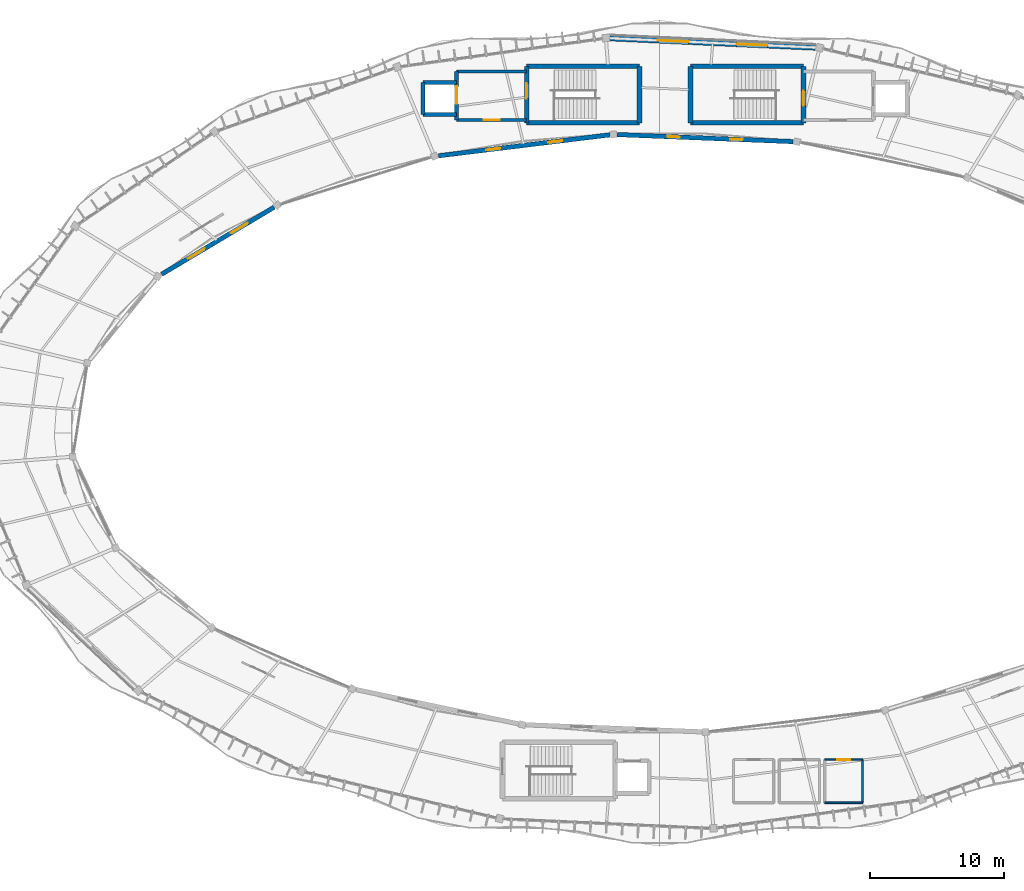
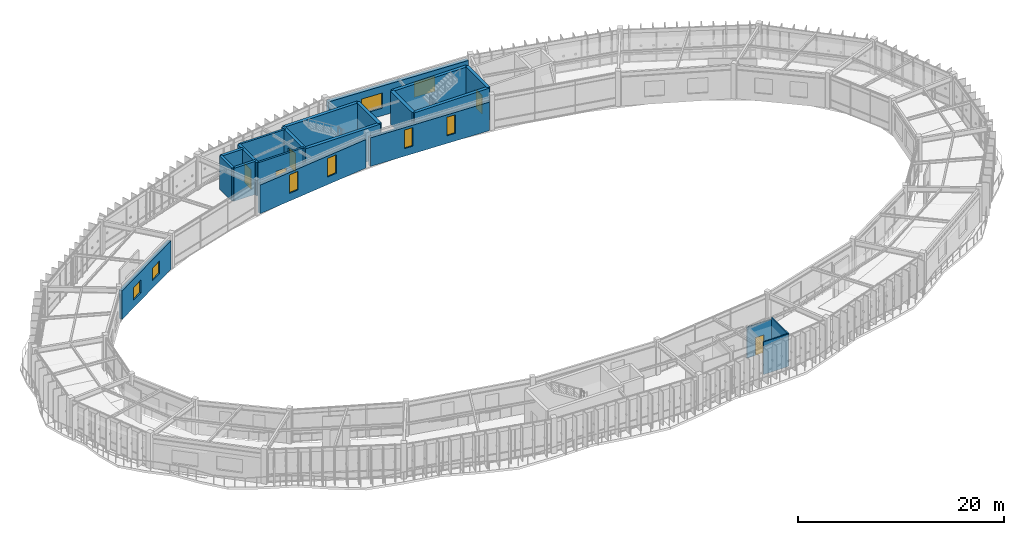
# One storey, part 68 of 79: 21 walls, 8 windows, 5 doors, 13 openings.
"""IFC4 building model written with IfcOpenShell, lengths in metres."""

from ifc_helpers import new_model, si_unit, direction, frame, frame_2d, origin, place, context, subcontext, project, spatial, rectangle, extrude, material, layer, layer_set, type_object, element, fill, save


model = new_model("IFC4")

# Units and contexts
model_context = context("Model", 3, precision=1e-05, world=origin(), true_north=direction((0.0, 1.0)))
body_context = subcontext(model_context, "Body", "Model", "MODEL_VIEW")
ifc_project = project(units=[si_unit("LENGTHUNIT", "METRE"), si_unit("AREAUNIT", "SQUARE_METRE"), si_unit("VOLUMEUNIT", "CUBIC_METRE"), si_unit("PLANEANGLEUNIT", "RADIAN"), si_unit("MASSUNIT", "GRAM", prefix="KILO"), si_unit("THERMODYNAMICTEMPERATUREUNIT", "KELVIN"), si_unit("POWERUNIT", "WATT")], contexts=[model_context])

# Site, building, storey
site_placement = place(None, origin())
site = spatial("IfcSite", under=ifc_project, at=site_placement, CompositionType="ELEMENT")
building_placement = place(site_placement, origin())
building = spatial("IfcBuilding", under=site, at=building_placement, Name="Darbajah Civic Hall", CompositionType="ELEMENT")
storey_placement = place(building_placement, frame((0.0, 0.0, 22.199951171875)))
storey = spatial("IfcBuildingStorey", under=building, at=storey_placement, Name="L05", CompositionType="ELEMENT", Elevation=22.199951171875)

# Wall, opening, door
ifc_material_1 = material(Name="Concrete C45/55", Category="concrete")
ifc_layer_1 = layer(ifc_material_1, 0.300048828125, Name="Concrete C45/55")
ifc_layer_set_1 = layer_set([ifc_layer_1], Name="Concrete C45/55")
wall_type_1 = type_object("IfcWallType", Name="Core Shear Wall 300mm", PredefinedType="SHEAR", material=ifc_layer_set_1)
wall_1_placement = place(storey_placement, frame((74.0, 116.699951171875, 0.0), z_axis=(0.0, 0.0, 1.0), x_axis=(0.0, -1.0, 0.0)))
wall_1 = element("IfcWall", 1, at=wall_1_placement, inside=storey, type_object=wall_type_1, Name="L05 firefighting lobby C01 wall W", PredefinedType="SHEAR", context=body_context, shape_type="SweptSolid", body=[
    extrude(rectangle(XDim=3.599853515625, YDim=0.300048828125, at=frame_2d((1.7998046875, 0.0))), origin(), (0.0, 0.0, 1.0), 3.920166015625),
])
opening_1_placement = place(wall_1_placement, frame((1.10009765625, 0.0, 0.0)))
opening_1 = element("IfcOpeningElement", 2, at=opening_1_placement, cuts=wall_1, Name="Opening LD-0020", PredefinedType="OPENING", context=body_context, shape_type="SweptSolid", body=[
    extrude(rectangle(XDim=1.300048828125, YDim=2.300048828125, at=frame_2d((0.64990234375, 1.14990234375))), frame((0.0, 0.159912109375, 0.0), z_axis=(0.0, -1.0, 0.0), x_axis=(1.0, 0.0, 0.0)), (0.0, 0.0, 1.0), 0.320068359375),
])
ifc_material_2 = material(Name="Firefighting Lift Landing Door")
door_type_1 = type_object("IfcDoorType", Name="Lift Landing Door 1300x2300", OperationType="SLIDING_TO_LEFT", PredefinedType="DOOR", material=ifc_material_2)
door_1_placement = place(opening_1_placement, origin())
door_1 = element("IfcDoor", 3, at=door_1_placement, inside=storey, type_object=door_type_1, Name="L05 firefighting lift FL1 landing door LD-0020", OperationType="SLIDING_TO_LEFT", OverallHeight=2.300048828125, OverallWidth=1.300048828125, PredefinedType="DOOR", context=body_context, shape_type="SweptSolid", body=[
    extrude(rectangle(XDim=1.300048828125, YDim=2.300048828125, at=frame_2d((0.64990234375, 1.14990234375))), frame((0.0, 0.02490234375, 0.0), z_axis=(0.0, -1.0, 0.0), x_axis=(1.0, 0.0, 0.0)), (0.0, 0.0, 1.0), 0.050048828125),
])
fill(opening_1, door_1)

# Walls
for number, where, z_axis, x_axis, name in (
    (4, (74.0, 115.89990234375, 0.0), (0.0, 0.0, 1.0), (-1.0, 0.0, 0.0), "L05 lift FL1 shaft wall N"),
    (5, (71.5, 113.5, 0.0), (0.0, 0.0, 1.0), (1.0, 0.0, 0.0), "L05 lift FL1 shaft wall S"),
):
    element("IfcWall", number, at=place(storey_placement, frame(where, z_axis=z_axis, x_axis=x_axis)), inside=storey, type_object=wall_type_1, Name=name, PredefinedType="SHEAR", context=body_context, shape_type="SweptSolid", body=[
        extrude(rectangle(XDim=2.5, YDim=0.300048828125, at=frame_2d((1.25, 0.0))), origin(), (0.0, 0.0, 1.0), 3.920166015625),
    ])
wall_2_placement = place(storey_placement, frame((71.5, 115.89990234375, 0.0), z_axis=(0.0, 0.0, 1.0), x_axis=(0.0, -1.0, 0.0)))
element("IfcWall", 6, at=wall_2_placement, inside=storey, type_object=wall_type_1, Name="L05 lift FL1 shaft wall OUT", PredefinedType="SHEAR", context=body_context, shape_type="SweptSolid", body=[
    extrude(rectangle(XDim=2.39990234375, YDim=0.300048828125, at=frame_2d((1.199951171875, 0.0))), origin(), (0.0, 0.0, 1.0), 3.920166015625),
])
ifc_material_3 = material(Name="Concrete C50/60", Category="concrete")
ifc_layer_2 = layer(ifc_material_3, 0.35009765625, Name="Concrete C50/60")
ifc_layer_set_2 = layer_set([ifc_layer_2], Name="Concrete C50/60")
wall_type_2 = type_object("IfcWallType", Name="Core Shear Wall 350mm", PredefinedType="SHEAR", material=ifc_layer_set_2)
wall_3_placement = place(storey_placement, frame((79.199951171875, 112.89990234375, 0.0), z_axis=(0.0, 0.0, 1.0), x_axis=(1.0, 0.0, 0.0)))
element("IfcWall", 7, at=wall_3_placement, inside=storey, type_object=wall_type_2, Name="L05 core C01 shear wall S", PredefinedType="SHEAR", context=body_context, shape_type="SweptSolid", body=[
    extrude(rectangle(XDim=8.400146484375, YDim=0.35009765625, at=frame_2d((4.2001953125, 0.0))), origin(), (0.0, 0.0, 1.0), 3.920166015625),
])
wall_4_placement = place(storey_placement, frame((87.60009765625, 112.89990234375, 0.0), z_axis=(0.0, 0.0, 1.0), x_axis=(0.0, 1.0, 0.0)))
element("IfcWall", 8, at=wall_4_placement, inside=storey, type_object=wall_type_2, Name="L05 core C01 shear wall E", PredefinedType="SHEAR", context=body_context, shape_type="SweptSolid", body=[
    extrude(rectangle(XDim=4.2001953125, YDim=0.35009765625, at=frame_2d((2.10009765625, 0.0))), origin(), (0.0, 0.0, 1.0), 3.920166015625),
])
wall_5_placement = place(storey_placement, frame((87.60009765625, 117.10009765625, 0.0), z_axis=(0.0, 0.0, 1.0), x_axis=(-1.0, 0.0, 0.0)))
element("IfcWall", 9, at=wall_5_placement, inside=storey, type_object=wall_type_2, Name="L05 core C01 shear wall N", PredefinedType="SHEAR", context=body_context, shape_type="SweptSolid", body=[
    extrude(rectangle(XDim=8.400146484375, YDim=0.35009765625, at=frame_2d((4.2001953125, 0.0))), origin(), (0.0, 0.0, 1.0), 3.920166015625),
])

# Wall, opening, door
wall_6_placement = place(storey_placement, frame((79.199951171875, 117.10009765625, 0.0), z_axis=(0.0, 0.0, 1.0), x_axis=(0.0, -1.0, 0.0)))
wall_6 = element("IfcWall", 10, at=wall_6_placement, inside=storey, type_object=wall_type_2, Name="L05 core C01 shear wall W", PredefinedType="SHEAR", context=body_context, shape_type="SweptSolid", body=[
    extrude(rectangle(XDim=4.2001953125, YDim=0.35009765625, at=frame_2d((2.10009765625, 0.0))), origin(), (0.0, 0.0, 1.0), 3.920166015625),
])
opening_2_placement = place(wall_6_placement, frame((1.25, 0.0, 0.0)))
opening_2 = element("IfcOpeningElement", 11, at=opening_2_placement, cuts=wall_6, Name="Opening SD-0011", PredefinedType="OPENING", context=body_context, shape_type="SweptSolid", body=[
    extrude(rectangle(XDim=1.14990234375, YDim=2.199951171875, at=frame_2d((0.574951171875, 1.10009765625))), frame((0.0, 0.18505859375, 0.0), z_axis=(0.0, -1.0, 0.0), x_axis=(1.0, 0.0, 0.0)), (0.0, 0.0, 1.0), 0.3701171875),
])
ifc_material_4 = material(Name="Steel Rated Core Door", Category="steel")
door_type_2 = type_object("IfcDoorType", Name="Interior Door 1150x2200", OperationType="NOTDEFINED", PredefinedType="DOOR", material=ifc_material_4)
door_2_placement = place(opening_2_placement, origin())
door_2 = element("IfcDoor", 12, at=door_2_placement, inside=storey, type_object=door_type_2, Name="L05 stair ST01 fire door SD-0011", OperationType="SINGLE_SWING_RIGHT", OverallHeight=2.199951171875, OverallWidth=1.14990234375, PredefinedType="DOOR", context=body_context, shape_type="SweptSolid", body=[
    extrude(rectangle(XDim=1.14990234375, YDim=2.199951171875, at=frame_2d((0.574951171875, 1.10009765625))), frame((0.0, 0.02490234375, 0.0), z_axis=(0.0, -1.0, 0.0), x_axis=(1.0, 0.0, 0.0)), (0.0, 0.0, 1.0), 0.050048828125),
])
fill(opening_2, door_2)

# Wall
wall_7_placement = place(storey_placement, frame((91.39990234375, 112.89990234375, 0.0), z_axis=(0.0, 0.0, 1.0), x_axis=(1.0, 0.0, 0.0)))
element("IfcWall", 13, at=wall_7_placement, inside=storey, type_object=wall_type_2, Name="L05 core C02 shear wall S", PredefinedType="SHEAR", context=body_context, shape_type="SweptSolid", body=[
    extrude(rectangle(XDim=8.400146484375, YDim=0.35009765625, at=frame_2d((4.2001953125, 0.0))), origin(), (0.0, 0.0, 1.0), 3.920166015625),
])

# Wall, opening, door
wall_8_placement = place(storey_placement, frame((99.800048828125, 112.89990234375, 0.0), z_axis=(0.0, 0.0, 1.0), x_axis=(0.0, 1.0, 0.0)))
wall_8 = element("IfcWall", 14, at=wall_8_placement, inside=storey, type_object=wall_type_2, Name="L05 core C02 shear wall E", PredefinedType="SHEAR", context=body_context, shape_type="SweptSolid", body=[
    extrude(rectangle(XDim=4.2001953125, YDim=0.35009765625, at=frame_2d((2.10009765625, 0.0))), origin(), (0.0, 0.0, 1.0), 3.920166015625),
])
opening_3_placement = place(wall_8_placement, frame((1.25, 0.0, 0.0)))
opening_3 = element("IfcOpeningElement", 15, at=opening_3_placement, cuts=wall_8, Name="Opening SD-0032", PredefinedType="OPENING", context=body_context, shape_type="SweptSolid", body=[
    extrude(rectangle(XDim=1.14990234375, YDim=2.199951171875, at=frame_2d((0.574951171875, 1.10009765625))), frame((0.0, 0.18505859375, 0.0), z_axis=(0.0, -1.0, 0.0), x_axis=(1.0, 0.0, 0.0)), (0.0, 0.0, 1.0), 0.3701171875),
])
door_3_placement = place(opening_3_placement, origin())
door_3 = element("IfcDoor", 16, at=door_3_placement, inside=storey, type_object=door_type_2, Name="L05 stair ST02 fire door SD-0032", OperationType="SINGLE_SWING_LEFT", OverallHeight=2.199951171875, OverallWidth=1.14990234375, PredefinedType="DOOR", context=body_context, shape_type="SweptSolid", body=[
    extrude(rectangle(XDim=1.14990234375, YDim=2.199951171875, at=frame_2d((0.574951171875, 1.10009765625))), frame((0.0, 0.02490234375, 0.0), z_axis=(0.0, -1.0, 0.0), x_axis=(1.0, 0.0, 0.0)), (0.0, 0.0, 1.0), 0.050048828125),
])
fill(opening_3, door_3)

# Walls
wall_9_placement = place(storey_placement, frame((99.800048828125, 117.10009765625, 0.0), z_axis=(0.0, 0.0, 1.0), x_axis=(-1.0, 0.0, 0.0)))
element("IfcWall", 17, at=wall_9_placement, inside=storey, type_object=wall_type_2, Name="L05 core C02 shear wall N", PredefinedType="SHEAR", context=body_context, shape_type="SweptSolid", body=[
    extrude(rectangle(XDim=8.400146484375, YDim=0.35009765625, at=frame_2d((4.2001953125, 0.0))), origin(), (0.0, 0.0, 1.0), 3.920166015625),
])
wall_10_placement = place(storey_placement, frame((91.39990234375, 117.10009765625, 0.0), z_axis=(0.0, 0.0, 1.0), x_axis=(0.0, -1.0, 0.0)))
element("IfcWall", 18, at=wall_10_placement, inside=storey, type_object=wall_type_2, Name="L05 core C02 shear wall W", PredefinedType="SHEAR", context=body_context, shape_type="SweptSolid", body=[
    extrude(rectangle(XDim=4.2001953125, YDim=0.35009765625, at=frame_2d((2.10009765625, 0.0))), origin(), (0.0, 0.0, 1.0), 3.920166015625),
])

# Wall, openings, windows
ifc_material_5 = material(Name="Qatari Desert Limestone Ashlar", Category="masonry")
ifc_layer_3 = layer(ifc_material_5, 0.340087890625, Name="Qatari Desert Limestone Ashlar")
ifc_layer_set_3 = layer_set([ifc_layer_3], Name="Qatari Desert Limestone Ashlar")
wall_type_3 = type_object("IfcWallType", Name="Exterior Wall 340mm", PredefinedType="SOLIDWALL", material=ifc_layer_set_3)
wall_11_placement = place(storey_placement, frame((99.029296875, 111.49560546875, 0.0), z_axis=(0.0, 0.0, 1.0), x_axis=(-0.999198007922, 0.040041740285, 0.0)))
wall_11 = element("IfcWall", 19, at=wall_11_placement, inside=storey, type_object=wall_type_3, Name="L05 exterior wall EW-340", PredefinedType="SOLIDWALL", context=body_context, shape_type="SweptSolid", body=[
    extrude(rectangle(XDim=13.0966796875, YDim=0.340087890625, at=frame_2d((6.54833984375, 0.0))), origin(), (0.0, 0.0, 1.0), 3.386962890625),
])
opening_4_placement = place(wall_11_placement, frame((3.765625, 0.0, 0.89990234375)))
opening_4 = element("IfcOpeningElement", 20, at=opening_4_placement, cuts=wall_11, Name="Opening WN-23", PredefinedType="OPENING", context=body_context, shape_type="SweptSolid", body=[
    extrude(rectangle(XDim=0.89990234375, YDim=2.199951171875, at=frame_2d((0.449951171875, 1.10009765625))), frame((0.0, 0.179931640625, 0.0), z_axis=(0.0, -1.0, 0.0), x_axis=(1.0, 0.0, 0.0)), (0.0, 0.0, 1.0), 0.360107421875),
])
opening_5_placement = place(wall_11_placement, frame((8.43115234375, 0.0, 0.89990234375)))
opening_5 = element("IfcOpeningElement", 21, at=opening_5_placement, cuts=wall_11, Name="Opening WN-23", PredefinedType="OPENING", context=body_context, shape_type="SweptSolid", body=[
    extrude(rectangle(XDim=0.89990234375, YDim=2.199951171875, at=frame_2d((0.449951171875, 1.10009765625))), frame((0.0, 0.179931640625, 0.0), z_axis=(0.0, -1.0, 0.0), x_axis=(1.0, 0.0, 0.0)), (0.0, 0.0, 1.0), 0.360107421875),
])
ifc_material_6 = material(Name="Low-E Solar Control Double Glazing", Category="glass")
window_type_1 = type_object("IfcWindowType", Name="Facade Window 900x2200", PartitioningType="SINGLE_PANEL", PredefinedType="WINDOW", material=ifc_material_6)
window_1_placement = place(opening_4_placement, origin())
window_1 = element("IfcWindow", 22, at=window_1_placement, inside=storey, type_object=window_type_1, Name="L05 facade window WN-23", OverallHeight=2.199951171875, OverallWidth=0.89990234375, PartitioningType="SINGLE_PANEL", PredefinedType="WINDOW", context=body_context, shape_type="SweptSolid", body=[
    extrude(rectangle(XDim=0.89990234375, YDim=2.199951171875, at=frame_2d((0.449951171875, 1.10009765625))), frame((0.0, 0.030029296875, 0.0), z_axis=(0.0, -1.0, 0.0), x_axis=(1.0, 0.0, 0.0)), (0.0, 0.0, 1.0), 0.06005859375),
])
fill(opening_4, window_1)
window_2_placement = place(opening_5_placement, origin())
window_2 = element("IfcWindow", 23, at=window_2_placement, inside=storey, type_object=window_type_1, Name="L05 facade window WN-23", OverallHeight=2.199951171875, OverallWidth=0.89990234375, PartitioningType="SINGLE_PANEL", PredefinedType="WINDOW", context=body_context, shape_type="SweptSolid", body=[
    extrude(rectangle(XDim=0.89990234375, YDim=2.199951171875, at=frame_2d((0.449951171875, 1.10009765625))), frame((0.0, 0.030029296875, 0.0), z_axis=(0.0, -1.0, 0.0), x_axis=(1.0, 0.0, 0.0)), (0.0, 0.0, 1.0), 0.06005859375),
])
fill(opening_5, window_2)

wall_12_placement = place(storey_placement, frame((85.40283203125, 111.99951171875, 0.0), z_axis=(0.0, 0.0, 1.0), x_axis=(-0.992612043569, -0.121331492044, 0.0)))
wall_12 = element("IfcWall", 24, at=wall_12_placement, inside=storey, type_object=wall_type_3, Name="L05 exterior wall EW-340", PredefinedType="SOLIDWALL", context=body_context, shape_type="SweptSolid", body=[
    extrude(rectangle(XDim=12.851806640625, YDim=0.340087890625, at=frame_2d((6.42578125, 0.0))), origin(), (0.0, 0.0, 1.0), 3.386962890625),
])
opening_6_placement = place(wall_12_placement, frame((3.583984375, 0.0, 0.89990234375)))
opening_6 = element("IfcOpeningElement", 25, at=opening_6_placement, cuts=wall_12, Name="Opening WN-24", PredefinedType="OPENING", context=body_context, shape_type="SweptSolid", body=[
    extrude(rectangle(XDim=1.050048828125, YDim=2.199951171875, at=frame_2d((0.52490234375, 1.10009765625))), frame((0.0, 0.179931640625, 0.0), z_axis=(0.0, -1.0, 0.0), x_axis=(1.0, 0.0, 0.0)), (0.0, 0.0, 1.0), 0.360107421875),
])
opening_7_placement = place(wall_12_placement, frame((8.218017578125, 0.0, 0.89990234375)))
opening_7 = element("IfcOpeningElement", 26, at=opening_7_placement, cuts=wall_12, Name="Opening WN-24", PredefinedType="OPENING", context=body_context, shape_type="SweptSolid", body=[
    extrude(rectangle(XDim=1.050048828125, YDim=2.199951171875, at=frame_2d((0.52490234375, 1.10009765625))), frame((0.0, 0.179931640625, 0.0), z_axis=(0.0, -1.0, 0.0), x_axis=(1.0, 0.0, 0.0)), (0.0, 0.0, 1.0), 0.360107421875),
])
window_type_2 = type_object("IfcWindowType", Name="Facade Window 1050x2200", PartitioningType="SINGLE_PANEL", PredefinedType="WINDOW", material=ifc_material_6)
window_3_placement = place(opening_6_placement, origin())
window_3 = element("IfcWindow", 27, at=window_3_placement, inside=storey, type_object=window_type_2, Name="L05 facade window WN-24", OverallHeight=2.199951171875, OverallWidth=1.050048828125, PartitioningType="SINGLE_PANEL", PredefinedType="WINDOW", context=body_context, shape_type="SweptSolid", body=[
    extrude(rectangle(XDim=1.050048828125, YDim=2.199951171875, at=frame_2d((0.52490234375, 1.10009765625))), frame((0.0, 0.030029296875, 0.0), z_axis=(0.0, -1.0, 0.0), x_axis=(1.0, 0.0, 0.0)), (0.0, 0.0, 1.0), 0.06005859375),
])
fill(opening_6, window_3)
window_4_placement = place(opening_7_placement, origin())
window_4 = element("IfcWindow", 28, at=window_4_placement, inside=storey, type_object=window_type_2, Name="L05 facade window WN-24", OverallHeight=2.199951171875, OverallWidth=1.050048828125, PartitioningType="SINGLE_PANEL", PredefinedType="WINDOW", context=body_context, shape_type="SweptSolid", body=[
    extrude(rectangle(XDim=1.050048828125, YDim=2.199951171875, at=frame_2d((0.52490234375, 1.10009765625))), frame((0.0, 0.030029296875, 0.0), z_axis=(0.0, -1.0, 0.0), x_axis=(1.0, 0.0, 0.0)), (0.0, 0.0, 1.0), 0.06005859375),
])
fill(opening_7, window_4)

wall_13_placement = place(storey_placement, frame((60.40478515625, 106.6083984375, 0.0), z_axis=(0.0, 0.0, 1.0), x_axis=(-0.858952703764, -0.512054931327, 0.0)))
wall_13 = element("IfcWall", 29, at=wall_13_placement, inside=storey, type_object=wall_type_3, Name="L05 exterior wall EW-340", PredefinedType="SOLIDWALL", context=body_context, shape_type="SweptSolid", body=[
    extrude(rectangle(XDim=9.731201171875, YDim=0.340087890625, at=frame_2d((4.86572265625, 0.0))), origin(), (0.0, 0.0, 1.0), 3.386962890625),
])
opening_8_placement = place(wall_13_placement, frame((2.277099609375, 0.0, 0.89990234375)))
opening_8 = element("IfcOpeningElement", 30, at=opening_8_placement, cuts=wall_13, Name="Opening WN-25", PredefinedType="OPENING", context=body_context, shape_type="SweptSolid", body=[
    extrude(rectangle(XDim=1.449951171875, YDim=1.5, at=frame_2d((0.72509765625, 0.75))), frame((0.0, 0.179931640625, 0.0), z_axis=(0.0, -1.0, 0.0), x_axis=(1.0, 0.0, 0.0)), (0.0, 0.0, 1.0), 0.360107421875),
])
opening_9_placement = place(wall_13_placement, frame((6.004150390625, 0.0, 0.89990234375)))
opening_9 = element("IfcOpeningElement", 31, at=opening_9_placement, cuts=wall_13, Name="Opening WN-25", PredefinedType="OPENING", context=body_context, shape_type="SweptSolid", body=[
    extrude(rectangle(XDim=1.449951171875, YDim=1.5, at=frame_2d((0.72509765625, 0.75))), frame((0.0, 0.179931640625, 0.0), z_axis=(0.0, -1.0, 0.0), x_axis=(1.0, 0.0, 0.0)), (0.0, 0.0, 1.0), 0.360107421875),
])
window_type_3 = type_object("IfcWindowType", Name="Facade Window 1450x1500", PartitioningType="SINGLE_PANEL", PredefinedType="WINDOW", material=ifc_material_6)
window_5_placement = place(opening_8_placement, origin())
window_5 = element("IfcWindow", 32, at=window_5_placement, inside=storey, type_object=window_type_3, Name="L05 facade window WN-25", OverallHeight=1.5, OverallWidth=1.449951171875, PartitioningType="SINGLE_PANEL", PredefinedType="WINDOW", context=body_context, shape_type="SweptSolid", body=[
    extrude(rectangle(XDim=1.449951171875, YDim=1.5, at=frame_2d((0.72509765625, 0.75))), frame((0.0, 0.030029296875, 0.0), z_axis=(0.0, -1.0, 0.0), x_axis=(1.0, 0.0, 0.0)), (0.0, 0.0, 1.0), 0.06005859375),
])
fill(opening_8, window_5)
window_6_placement = place(opening_9_placement, origin())
window_6 = element("IfcWindow", 33, at=window_6_placement, inside=storey, type_object=window_type_3, Name="L05 facade window WN-25", OverallHeight=1.5, OverallWidth=1.449951171875, PartitioningType="SINGLE_PANEL", PredefinedType="WINDOW", context=body_context, shape_type="SweptSolid", body=[
    extrude(rectangle(XDim=1.449951171875, YDim=1.5, at=frame_2d((0.72509765625, 0.75))), frame((0.0, 0.030029296875, 0.0), z_axis=(0.0, -1.0, 0.0), x_axis=(1.0, 0.0, 0.0)), (0.0, 0.0, 1.0), 0.06005859375),
])
fill(opening_9, window_6)

ifc_layer_4 = layer(ifc_material_5, 0.419921875, Name="Qatari Desert Limestone Ashlar")
ifc_layer_set_4 = layer_set([ifc_layer_4], Name="Qatari Desert Limestone Ashlar")
wall_type_4 = type_object("IfcWallType", Name="Exterior Wall 420mm", PredefinedType="SOLIDWALL", material=ifc_layer_set_4)
wall_14_placement = place(storey_placement, frame((100.681884765625, 118.49951171875, 0.0), z_axis=(0.0, 0.0, 1.0), x_axis=(-0.998964816751, 0.045489503124, 0.0)))
wall_14 = element("IfcWall", 34, at=wall_14_placement, inside=storey, type_object=wall_type_4, Name="L05 exterior wall EW-420", PredefinedType="SOLIDWALL", context=body_context, shape_type="SweptSolid", body=[
    extrude(rectangle(XDim=15.29052734375, YDim=0.419921875, at=frame_2d((7.645263671875, 0.0))), origin(), (0.0, 0.0, 1.0), 3.52001953125),
])
opening_10_placement = place(wall_14_placement, frame((3.5634765625, 0.0, 0.89990234375)))
opening_10 = element("IfcOpeningElement", 35, at=opening_10_placement, cuts=wall_14, Name="Opening WN-22", PredefinedType="OPENING", context=body_context, shape_type="SweptSolid", body=[
    extrude(rectangle(XDim=2.300048828125, YDim=1.800048828125, at=frame_2d((1.14990234375, 0.89990234375))), frame((0.0, 0.219970703125, 0.0), z_axis=(0.0, -1.0, 0.0), x_axis=(1.0, 0.0, 0.0)), (0.0, 0.0, 1.0), 0.43994140625),
])
opening_11_placement = place(wall_14_placement, frame((9.427001953125, 0.0, 0.89990234375)))
opening_11 = element("IfcOpeningElement", 36, at=opening_11_placement, cuts=wall_14, Name="Opening WN-22", PredefinedType="OPENING", context=body_context, shape_type="SweptSolid", body=[
    extrude(rectangle(XDim=2.300048828125, YDim=1.800048828125, at=frame_2d((1.14990234375, 0.89990234375))), frame((0.0, 0.219970703125, 0.0), z_axis=(0.0, -1.0, 0.0), x_axis=(1.0, 0.0, 0.0)), (0.0, 0.0, 1.0), 0.43994140625),
])
window_type_4 = type_object("IfcWindowType", Name="Facade Window 2300x1800", PartitioningType="DOUBLE_PANEL_VERTICAL", PredefinedType="WINDOW", material=ifc_material_6)
window_7_placement = place(opening_10_placement, origin())
window_7 = element("IfcWindow", 37, at=window_7_placement, inside=storey, type_object=window_type_4, Name="L05 facade window WN-22", OverallHeight=1.800048828125, OverallWidth=2.300048828125, PartitioningType="SINGLE_PANEL", PredefinedType="WINDOW", context=body_context, shape_type="SweptSolid", body=[
    extrude(rectangle(XDim=2.300048828125, YDim=1.800048828125, at=frame_2d((1.14990234375, 0.89990234375))), frame((0.0, 0.030029296875, 0.0), z_axis=(0.0, -1.0, 0.0), x_axis=(1.0, 0.0, 0.0)), (0.0, 0.0, 1.0), 0.06005859375),
])
fill(opening_10, window_7)
window_8_placement = place(opening_11_placement, origin())
window_8 = element("IfcWindow", 38, at=window_8_placement, inside=storey, type_object=window_type_4, Name="L05 facade window WN-22", OverallHeight=1.800048828125, OverallWidth=2.300048828125, PartitioningType="SINGLE_PANEL", PredefinedType="WINDOW", context=body_context, shape_type="SweptSolid", body=[
    extrude(rectangle(XDim=2.300048828125, YDim=1.800048828125, at=frame_2d((1.14990234375, 0.89990234375))), frame((0.0, 0.030029296875, 0.0), z_axis=(0.0, -1.0, 0.0), x_axis=(1.0, 0.0, 0.0)), (0.0, 0.0, 1.0), 0.06005859375),
])
fill(opening_11, window_8)

# Wall, opening, door
ifc_layer_5 = layer(ifc_material_1, 0.219970703125, Name="Concrete C45/55")
ifc_layer_set_5 = layer_set([ifc_layer_5], Name="Concrete C45/55")
wall_type_5 = type_object("IfcWallType", Name="Firefighting Shaft Wall 220mm", PredefinedType="SOLIDWALL", material=ifc_layer_set_5)
wall_15_placement = place(storey_placement, frame((74.0, 113.10009765625, 0.0), z_axis=(0.0, 0.0, 1.0), x_axis=(1.0, 0.0, 0.0)))
wall_15 = element("IfcWall", 39, at=wall_15_placement, inside=storey, type_object=wall_type_5, Name="L05 firefighting lobby C01 wall S", PredefinedType="SOLIDWALL", context=body_context, shape_type="SweptSolid", body=[
    extrude(rectangle(XDim=5.199951171875, YDim=0.219970703125, at=frame_2d((2.60009765625, 0.0))), origin(), (0.0, 0.0, 1.0), 3.920166015625),
])
opening_12_placement = place(wall_15_placement, frame((2.0, 0.0, 0.0)))
opening_12 = element("IfcOpeningElement", 40, at=opening_12_placement, cuts=wall_15, Name="Opening FD-0012", PredefinedType="OPENING", context=body_context, shape_type="SweptSolid", body=[
    extrude(rectangle(XDim=1.199951171875, YDim=2.199951171875, at=frame_2d((0.60009765625, 1.10009765625))), frame((0.0, 0.119873046875, 0.0), z_axis=(0.0, -1.0, 0.0), x_axis=(1.0, 0.0, 0.0)), (0.0, 0.0, 1.0), 0.239990234375),
])
ifc_material_7 = material(Name="Painted Hardwood Fire Door", Category="wood")
door_type_3 = type_object("IfcDoorType", Name="Interior Door 1200x2200", OperationType="NOTDEFINED", PredefinedType="DOOR", material=ifc_material_7)
door_4_placement = place(opening_12_placement, origin())
door_4 = element("IfcDoor", 41, at=door_4_placement, inside=storey, type_object=door_type_3, Name="L05 firefighting lobby C01 entrance door FD-0012", OperationType="SINGLE_SWING_LEFT", OverallHeight=2.199951171875, OverallWidth=1.199951171875, PredefinedType="DOOR", context=body_context, shape_type="SweptSolid", body=[
    extrude(rectangle(XDim=1.199951171875, YDim=2.199951171875, at=frame_2d((0.60009765625, 1.10009765625))), frame((0.0, 0.02490234375, 0.0), z_axis=(0.0, -1.0, 0.0), x_axis=(1.0, 0.0, 0.0)), (0.0, 0.0, 1.0), 0.050048828125),
])
fill(opening_12, door_4)

# Wall
wall_16_placement = place(storey_placement, frame((79.199951171875, 116.699951171875, 0.0), z_axis=(0.0, 0.0, 1.0), x_axis=(-1.0, 0.0, 0.0)))
element("IfcWall", 42, at=wall_16_placement, inside=storey, type_object=wall_type_5, Name="L05 firefighting lobby C01 wall N", PredefinedType="SOLIDWALL", context=body_context, shape_type="SweptSolid", body=[
    extrude(rectangle(XDim=5.199951171875, YDim=0.219970703125, at=frame_2d((2.60009765625, 0.0))), origin(), (0.0, 0.0, 1.0), 3.920166015625),
])

# Wall, opening, door
ifc_material_8 = material(Name="Acoustic Gypsum Partition")
ifc_layer_6 = layer(ifc_material_8, 0.114990234375, Name="Acoustic Gypsum Partition")
ifc_layer_set_6 = layer_set([ifc_layer_6], Name="Acoustic Gypsum Partition")
wall_type_6 = type_object("IfcWallType", Name="Interior Partition 115mm", PredefinedType="PARTITIONING", material=ifc_layer_set_6)
wall_17_placement = place(storey_placement, frame((101.39990234375, 65.5, 0.0), z_axis=(0.0, 0.0, 1.0), x_axis=(1.0, 0.0, 0.0)))
wall_17 = element("IfcWall", 43, at=wall_17_placement, inside=storey, type_object=wall_type_6, Name="L05 interior partition L05-WCA", PredefinedType="PARTITIONING", context=body_context, shape_type="SweptSolid", body=[
    extrude(rectangle(XDim=2.800048828125, YDim=0.114990234375, at=frame_2d((1.39990234375, 0.0))), origin(), (0.0, 0.0, 1.0), 3.6640625),
])
opening_13_placement = place(wall_17_placement, frame((0.925048828125, 0.0, 0.0)))
opening_13 = element("IfcOpeningElement", 44, at=opening_13_placement, cuts=wall_17, Name="Opening D-0264", PredefinedType="OPENING", context=body_context, shape_type="SweptSolid", body=[
    extrude(rectangle(XDim=0.949951171875, YDim=2.10009765625, at=frame_2d((0.47509765625, 1.050048828125))), frame((0.0, 0.0673828125, 0.0), z_axis=(0.0, -1.0, 0.0), x_axis=(1.0, 0.0, 0.0)), (0.0, 0.0, 1.0), 0.135009765625),
])
ifc_material_9 = material(Name="Accessible WC Door")
door_type_4 = type_object("IfcDoorType", Name="Interior Door 950x2100", OperationType="NOTDEFINED", PredefinedType="DOOR", material=ifc_material_9)
door_5_placement = place(opening_13_placement, origin())
door_5 = element("IfcDoor", 45, at=door_5_placement, inside=storey, type_object=door_type_4, Name="L05 L05-WCA door D-0264", OperationType="SINGLE_SWING_LEFT", OverallHeight=2.10009765625, OverallWidth=0.949951171875, PredefinedType="DOOR", context=body_context, shape_type="SweptSolid", body=[
    extrude(rectangle(XDim=0.949951171875, YDim=2.10009765625, at=frame_2d((0.47509765625, 1.050048828125))), frame((0.0, 0.02490234375, 0.0), z_axis=(0.0, -1.0, 0.0), x_axis=(1.0, 0.0, 0.0)), (0.0, 0.0, 1.0), 0.050048828125),
])
fill(opening_13, door_5)

# Walls
ifc_material_10 = material(Name="Gypsum Plasterboard on Steel Stud", Category="steel")
ifc_layer_7 = layer(ifc_material_10, 0.135009765625, Name="Gypsum Plasterboard on Steel Stud")
ifc_layer_set_7 = layer_set([ifc_layer_7], Name="Gypsum Plasterboard on Steel Stud")
wall_type_7 = type_object("IfcWallType", Name="Interior Partition 135mm", PredefinedType="PARTITIONING", material=ifc_layer_set_7)
wall_18_placement = place(storey_placement, frame((101.39990234375, 62.300048828125, 0.0), z_axis=(0.0, 0.0, 1.0), x_axis=(1.0, 0.0, 0.0)))
element("IfcWall", 46, at=wall_18_placement, inside=storey, type_object=wall_type_7, Name="L05 restroom enclosure wall L05-WCA S", PredefinedType="PARTITIONING", context=body_context, shape_type="SweptSolid", body=[
    extrude(rectangle(XDim=2.800048828125, YDim=0.135009765625, at=frame_2d((1.39990234375, 0.0))), origin(), (0.0, 0.0, 1.0), 3.860107421875),
])
wall_19_placement = place(storey_placement, frame((104.199951171875, 62.300048828125, 0.0), z_axis=(0.0, 0.0, 1.0), x_axis=(0.0, 1.0, 0.0)))
element("IfcWall", 47, at=wall_19_placement, inside=storey, type_object=wall_type_7, Name="L05 restroom enclosure wall L05-WCA E", PredefinedType="PARTITIONING", context=body_context, shape_type="SweptSolid", body=[
    extrude(rectangle(XDim=3.199951171875, YDim=0.135009765625, at=frame_2d((1.60009765625, 0.0))), origin(), (0.0, 0.0, 1.0), 3.860107421875),
])

save(model, "model.ifc")
